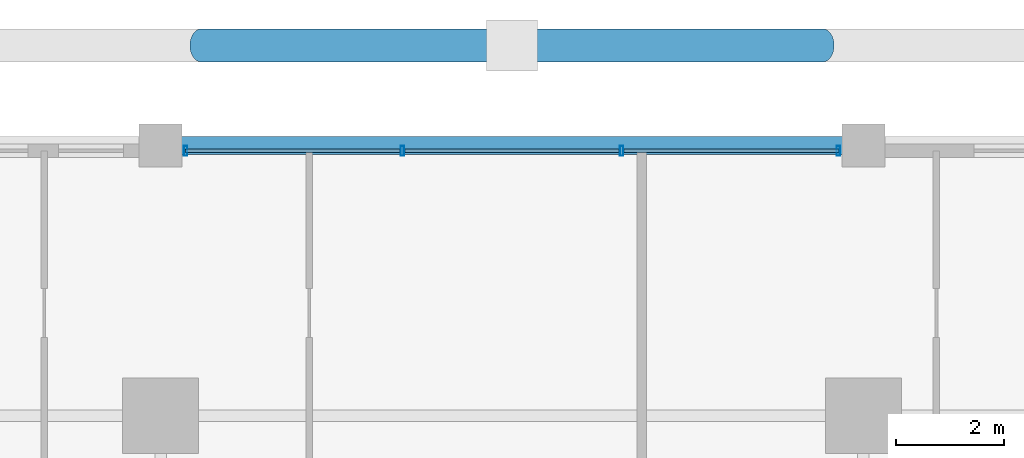
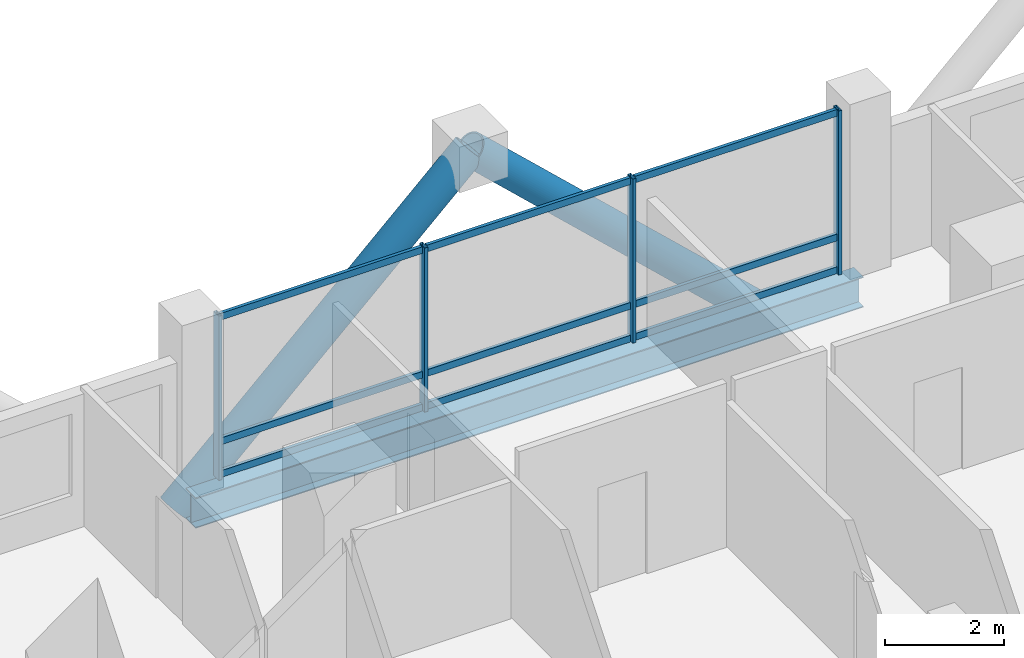
# One storey, part 13 of 23: 15 members, 1 beam, 1 element without a shape of its own.
"""IFC4 building model written with IfcOpenShell, lengths in metres."""

from ifc_helpers import new_model, si_unit, direction, frame, origin, origin_2d, place, context, subcontext, project, spatial, hollow_rectangle, hollow_circle, i_section, extrude, material, layer, layer_set, material_profile, profile_set, type_object, element, aggregate, save


model = new_model("IFC4")

# Units and contexts
model_context = context("Model", 3, precision=1e-05, world=origin(), true_north=direction((0.0, 1.0)))
body_context = subcontext(model_context, "Body", "Model", "MODEL_VIEW")
ifc_project = project(units=[si_unit("LENGTHUNIT", "METRE"), si_unit("AREAUNIT", "SQUARE_METRE"), si_unit("VOLUMEUNIT", "CUBIC_METRE"), si_unit("PLANEANGLEUNIT", "RADIAN"), si_unit("MASSUNIT", "GRAM", prefix="KILO")], contexts=[model_context])

# Site, building, storey
site_placement = place(None, origin())
site = spatial("IfcSite", under=ifc_project, at=site_placement, CompositionType="ELEMENT")
building_placement = place(site_placement, origin())
building = spatial("IfcBuilding", under=site, at=building_placement, Name="Barlavira Tower and Art Museum", CompositionType="ELEMENT")
storey_placement = place(building_placement, frame((0.0, 0.0, 57.60009765625)))
storey = spatial("IfcBuildingStorey", under=building, at=storey_placement, Name="L13", CompositionType="ELEMENT", Elevation=57.60009765625)

# Curtain wall, members
ifc_material_1 = material(Name="Low-iron coastal laminated glass", Category="glass")
ifc_layer = layer(ifc_material_1, 0.179931640625, Name="Low-iron coastal laminated glass")
ifc_layer_set = layer_set([ifc_layer], Name="Low-iron coastal laminated glass")
curtain_wall_type = type_object("IfcCurtainWallType", Name="Pale-Metal Unitised Curtain Wall Zone 1", PredefinedType="NOTDEFINED", material=ifc_layer_set)
curtain_wall_placement = place(storey_placement, origin())
curtain_wall = element("IfcCurtainWall", 1, at=curtain_wall_placement, inside=storey, type_object=curtain_wall_type, Name="L13 Curtain Wall CW1-L13-N-B3", PredefinedType="NOTDEFINED")
ifc_material_2 = material(Name="Pale anodised aluminium", Category="aluminium")
ifc_material_profile_1 = material_profile(ifc_material_2, hollow_rectangle(XDim=0.06494140625, YDim=0.179931640625, WallThickness=0.00390625, at=origin_2d()), Name="ALU-MULL 65x180x4")
ifc_profile_set_1 = profile_set([ifc_material_profile_1], Name="Pale anodised aluminium")
member_type_1 = type_object("IfcMemberType", Name="Curtain Wall Pale-Metal Mullion 65x180", PredefinedType="MULLION", material=ifc_profile_set_1)
member_1_placement = place(storey_placement, frame((6.034912109375, 24.89990234375, 0.0), z_axis=(0.0, 0.0, 1.0), x_axis=(-1.0, 0.0, 0.0)))
member_1 = element("IfcMember", 2, at=member_1_placement, type_object=member_type_1, Name="CW1-L13-N-B3 Mullion 0", PredefinedType="MULLION", context=body_context, shape_type="SweptSolid", body=[
    extrude(hollow_rectangle(XDim=0.06494140625, YDim=0.179931640625, WallThickness=0.00390625, at=origin_2d()), origin(), (0.0, 0.0, 1.0), 3.3798828125),
])
member_2_placement = place(storey_placement, frame((2.026611328125, 24.89990234375, 0.0), z_axis=(0.0, 0.0, 1.0), x_axis=(-1.0, 0.0, 0.0)))
member_2 = element("IfcMember", 3, at=member_2_placement, type_object=member_type_1, Name="CW1-L13-N-B3 Mullion 1", PredefinedType="MULLION", context=body_context, shape_type="SweptSolid", body=[
    extrude(hollow_rectangle(XDim=0.06494140625, YDim=0.179931640625, WallThickness=0.00390625, at=origin_2d()), origin(), (0.0, 0.0, 1.0), 3.3798828125),
])
member_3_placement = place(storey_placement, frame((-2.026611328125, 24.89990234375, 0.0), z_axis=(0.0, 0.0, 1.0), x_axis=(-1.0, 0.0, 0.0)))
member_3 = element("IfcMember", 4, at=member_3_placement, type_object=member_type_1, Name="CW1-L13-N-B3 Mullion 2", PredefinedType="MULLION", context=body_context, shape_type="SweptSolid", body=[
    extrude(hollow_rectangle(XDim=0.06494140625, YDim=0.179931640625, WallThickness=0.00390625, at=origin_2d()), origin(), (0.0, 0.0, 1.0), 3.3798828125),
])
member_4_placement = place(storey_placement, frame((-6.034912109375, 24.89990234375, 0.0), z_axis=(0.0, 0.0, 1.0), x_axis=(-1.0, 0.0, 0.0)))
member_4 = element("IfcMember", 5, at=member_4_placement, type_object=member_type_1, Name="CW1-L13-N-B3 Mullion 3", PredefinedType="MULLION", context=body_context, shape_type="SweptSolid", body=[
    extrude(hollow_rectangle(XDim=0.06494140625, YDim=0.179931640625, WallThickness=0.00390625, at=origin_2d()), origin(), (0.0, 0.0, 1.0), 3.3798828125),
])
ifc_material_profile_2 = material_profile(ifc_material_2, hollow_rectangle(XDim=0.06494140625, YDim=0.139892578125, WallThickness=0.00390625, at=origin_2d()), Name="ALU-TRAN 65x140x4")
ifc_profile_set_2 = profile_set([ifc_material_profile_2], Name="Pale anodised aluminium")
member_type_2 = type_object("IfcMemberType", Name="Curtain Wall Pale-Metal Transom 65x140", PredefinedType="USERDEFINED", material=ifc_profile_set_2)
member_5_placement = place(storey_placement, frame((6.034912109375, 24.89990234375, 0.06982421875), z_axis=(-1.0, 0.0, 0.0), x_axis=(0.0, -1.0, 0.0)))
member_5 = element("IfcMember", 6, at=member_5_placement, type_object=member_type_2, Name="CW1-L13-N-B3 Transom 0.1", ObjectType="TRANSOM", PredefinedType="USERDEFINED", context=body_context, shape_type="SweptSolid", body=[
    extrude(hollow_rectangle(XDim=0.06494140625, YDim=0.139892578125, WallThickness=0.00390625, at=origin_2d()), origin(), (0.0, 0.0, 1.0), 3.963134765625),
])
member_6_placement = place(storey_placement, frame((6.034912109375, 24.89990234375, 0.743896484375), z_axis=(-1.0, 0.0, 0.0), x_axis=(0.0, -1.0, 0.0)))
member_6 = element("IfcMember", 7, at=member_6_placement, type_object=member_type_2, Name="CW1-L13-N-B3 Transom 0.2", ObjectType="TRANSOM", PredefinedType="USERDEFINED", context=body_context, shape_type="SweptSolid", body=[
    extrude(hollow_rectangle(XDim=0.06494140625, YDim=0.139892578125, WallThickness=0.00390625, at=origin_2d()), origin(), (0.0, 0.0, 1.0), 3.963134765625),
])
member_7_placement = place(storey_placement, frame((6.034912109375, 24.89990234375, 3.309814453125), z_axis=(-1.0, 0.0, 0.0), x_axis=(0.0, -1.0, 0.0)))
member_7 = element("IfcMember", 8, at=member_7_placement, type_object=member_type_2, Name="CW1-L13-N-B3 Transom 0.3", ObjectType="TRANSOM", PredefinedType="USERDEFINED", context=body_context, shape_type="SweptSolid", body=[
    extrude(hollow_rectangle(XDim=0.06494140625, YDim=0.139892578125, WallThickness=0.00390625, at=origin_2d()), origin(), (0.0, 0.0, 1.0), 3.963134765625),
])
member_8_placement = place(storey_placement, frame((1.981689453125, 24.89990234375, 0.06982421875), z_axis=(-1.0, 0.0, 0.0), x_axis=(0.0, -1.0, 0.0)))
member_8 = element("IfcMember", 9, at=member_8_placement, type_object=member_type_2, Name="CW1-L13-N-B3 Transom 1.1", ObjectType="TRANSOM", PredefinedType="USERDEFINED", context=body_context, shape_type="SweptSolid", body=[
    extrude(hollow_rectangle(XDim=0.06494140625, YDim=0.139892578125, WallThickness=0.00390625, at=origin_2d()), origin(), (0.0, 0.0, 1.0), 3.96337890625),
])
member_9_placement = place(storey_placement, frame((1.981689453125, 24.89990234375, 0.743896484375), z_axis=(-1.0, 0.0, 0.0), x_axis=(0.0, -1.0, 0.0)))
member_9 = element("IfcMember", 10, at=member_9_placement, type_object=member_type_2, Name="CW1-L13-N-B3 Transom 1.2", ObjectType="TRANSOM", PredefinedType="USERDEFINED", context=body_context, shape_type="SweptSolid", body=[
    extrude(hollow_rectangle(XDim=0.06494140625, YDim=0.139892578125, WallThickness=0.00390625, at=origin_2d()), origin(), (0.0, 0.0, 1.0), 3.96337890625),
])
member_10_placement = place(storey_placement, frame((1.981689453125, 24.89990234375, 3.309814453125), z_axis=(-1.0, 0.0, 0.0), x_axis=(0.0, -1.0, 0.0)))
member_10 = element("IfcMember", 11, at=member_10_placement, type_object=member_type_2, Name="CW1-L13-N-B3 Transom 1.3", ObjectType="TRANSOM", PredefinedType="USERDEFINED", context=body_context, shape_type="SweptSolid", body=[
    extrude(hollow_rectangle(XDim=0.06494140625, YDim=0.139892578125, WallThickness=0.00390625, at=origin_2d()), origin(), (0.0, 0.0, 1.0), 3.96337890625),
])
member_11_placement = place(storey_placement, frame((-2.07177734375, 24.89990234375, 0.06982421875), z_axis=(-1.0, 0.0, 0.0), x_axis=(0.0, -1.0, 0.0)))
member_11 = element("IfcMember", 12, at=member_11_placement, type_object=member_type_2, Name="CW1-L13-N-B3 Transom 2.1", ObjectType="TRANSOM", PredefinedType="USERDEFINED", context=body_context, shape_type="SweptSolid", body=[
    extrude(hollow_rectangle(XDim=0.06494140625, YDim=0.139892578125, WallThickness=0.00390625, at=origin_2d()), origin(), (0.0, 0.0, 1.0), 3.963134765625),
])
member_12_placement = place(storey_placement, frame((-2.07177734375, 24.89990234375, 0.743896484375), z_axis=(-1.0, 0.0, 0.0), x_axis=(0.0, -1.0, 0.0)))
member_12 = element("IfcMember", 13, at=member_12_placement, type_object=member_type_2, Name="CW1-L13-N-B3 Transom 2.2", ObjectType="TRANSOM", PredefinedType="USERDEFINED", context=body_context, shape_type="SweptSolid", body=[
    extrude(hollow_rectangle(XDim=0.06494140625, YDim=0.139892578125, WallThickness=0.00390625, at=origin_2d()), origin(), (0.0, 0.0, 1.0), 3.963134765625),
])
member_13_placement = place(storey_placement, frame((-2.07177734375, 24.89990234375, 3.309814453125), z_axis=(-1.0, 0.0, 0.0), x_axis=(0.0, -1.0, 0.0)))
member_13 = element("IfcMember", 14, at=member_13_placement, type_object=member_type_2, Name="CW1-L13-N-B3 Transom 2.3", ObjectType="TRANSOM", PredefinedType="USERDEFINED", context=body_context, shape_type="SweptSolid", body=[
    extrude(hollow_rectangle(XDim=0.06494140625, YDim=0.139892578125, WallThickness=0.00390625, at=origin_2d()), origin(), (0.0, 0.0, 1.0), 3.963134765625),
])
aggregate(curtain_wall, [member_1, member_2, member_3, member_4, member_5, member_6, member_7, member_8, member_9, member_10, member_11, member_12, member_13])

# Members
ifc_material_3 = material(Name="Steel S355", Category="steel")
ifc_material_profile_3 = material_profile(ifc_material_3, hollow_circle(Radius=0.304931640625, WallThickness=0.028076171875, at=origin_2d()), Name="CHS 610.0x28.0")
ifc_profile_set_3 = profile_set([ifc_material_profile_3], Name="Steel S355")
member_type_3 = type_object("IfcMemberType", Name="Pale-Metal Exoskeleton Diagrid Tube CHS 610x28 Steel S355", PredefinedType="BRACE", material=ifc_profile_set_3)
for number, where, z_axis, x_axis, name in (
    (15, (-5.75, 26.85009765625, -1.920166015625), (0.728934650808, 0.0, 0.684583285548), (0.0, 1.0, 0.0), "L13 Exoskeleton Diagrid Tube N"),
    (16, (5.75, 26.85009765625, -1.920166015625), (-0.728934650808, 0.0, 0.684583285548), (0.0, -1.0, 0.0), "L13 Exoskeleton Diagrid Tube N"),
):
    element("IfcMember", number, at=place(storey_placement, frame(where, z_axis=z_axis, x_axis=x_axis)), inside=storey, type_object=member_type_3, Name=name, PredefinedType="BRACE", context=body_context, shape_type="SweptSolid", body=[
        extrude(hollow_circle(Radius=0.304931640625, WallThickness=0.028076171875, at=origin_2d()), origin(), (0.0, 0.0, 1.0), 7.88818359375),
    ])

# Beam
ifc_material_profile_4 = material_profile(ifc_material_3, i_section(OverallWidth=0.327880859375, OverallDepth=0.62890625, WebThickness=0.013916015625, FlangeThickness=0.021484375, at=origin_2d()), Name="W610x174.0")
ifc_profile_set_4 = profile_set([ifc_material_profile_4], Name="Steel S355")
beam_type = type_object("IfcBeamType", Name="Perimeter Spandrel Edge Beam W610x174 Steel S355", PredefinedType="SPANDREL", material=ifc_profile_set_4)
beam_placement = place(storey_placement, frame((-6.5, 25.0, -0.53466796875), z_axis=(1.0, 0.0, 0.0), x_axis=(0.0, 1.0, 0.0)))
element("IfcBeam", 17, at=beam_placement, inside=storey, type_object=beam_type, Name="L13 Spandrel 10", PredefinedType="SPANDREL", context=body_context, shape_type="SweptSolid", body=[
    extrude(i_section(OverallWidth=0.327880859375, OverallDepth=0.62890625, WebThickness=0.013916015625, FlangeThickness=0.021484375, at=origin_2d()), origin(), (0.0, 0.0, 1.0), 13.0),
])

save(model, "model.ifc")
